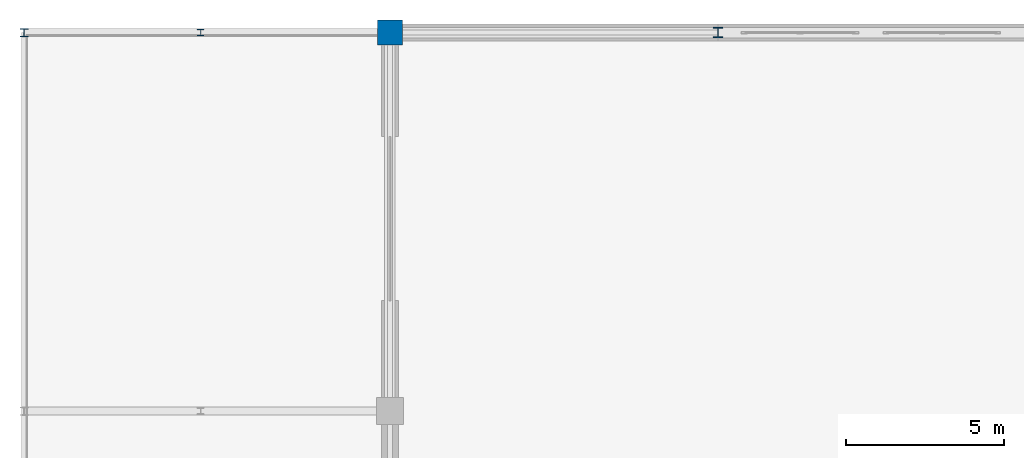
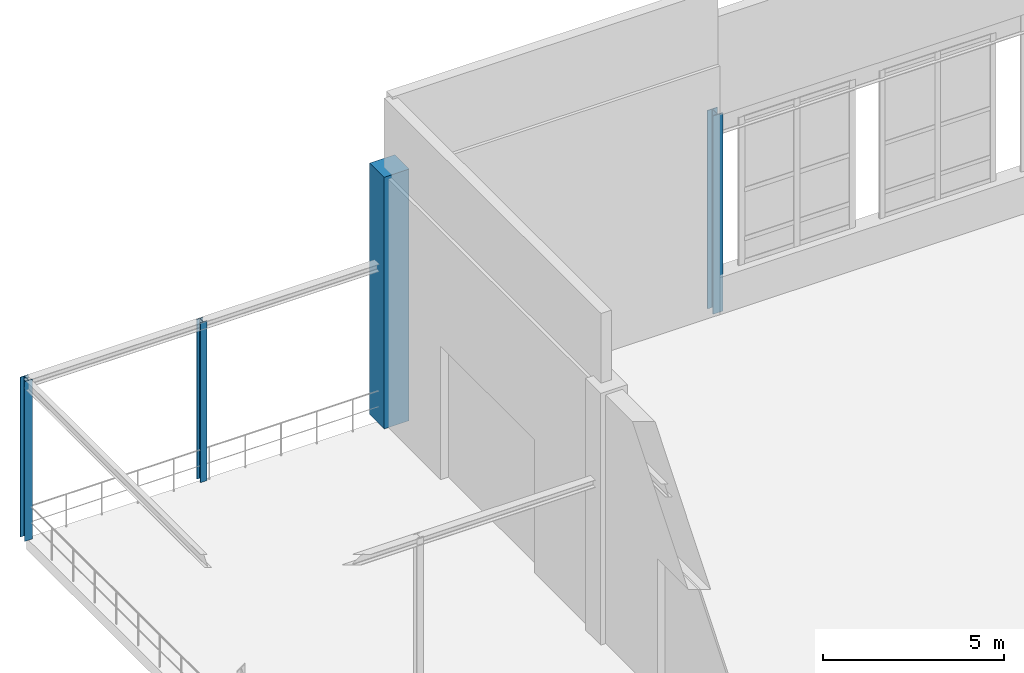
# One storey, part 13 of 97: 4 columns.
"""IFC4 building model written with IfcOpenShell, lengths in metres."""

from ifc_helpers import new_model, si_unit, derived_unit, direction, frame, origin, origin_2d, place, context, subcontext, project, spatial, rectangle, i_section, extrude, material, material_profile, profile_set, type_object, element, save


model = new_model("IFC4")

# Units and contexts
model_context = context("Model", 3, precision=1e-05, world=origin(), true_north=direction((0.0, 1.0)))
body_context = subcontext(model_context, "Body", "Model", "MODEL_VIEW")
ifc_project = project(units=[si_unit("LENGTHUNIT", "METRE"), si_unit("AREAUNIT", "SQUARE_METRE"), si_unit("VOLUMEUNIT", "CUBIC_METRE"), si_unit("PLANEANGLEUNIT", "RADIAN"), si_unit("MASSUNIT", "GRAM", prefix="KILO"), derived_unit("THERMALTRANSMITTANCEUNIT", [(si_unit("POWERUNIT", "WATT"), 1), (si_unit("LENGTHUNIT", "METRE"), -2), (si_unit("THERMODYNAMICTEMPERATUREUNIT", "KELVIN"), -1)])], contexts=[model_context])

# Site, building, storey
site_placement = place(None, origin())
site = spatial("IfcSite", under=ifc_project, at=site_placement, CompositionType="ELEMENT")
building_placement = place(site_placement, origin())
building = spatial("IfcBuilding", under=site, at=building_placement, Name="Almenara Railside Exhibition Hall", CompositionType="ELEMENT")
storey_placement = place(building_placement, frame((0.0, 0.0, 10.800048828125)))
storey = spatial("IfcBuildingStorey", under=building, at=storey_placement, Name="L02", CompositionType="ELEMENT", Elevation=10.800048828125)

# Columns
ifc_material_1 = material(Name="Concrete C40/50", Category="concrete")
ifc_material_profile_1 = material_profile(ifc_material_1, rectangle(XDim=0.800048828125, YDim=0.800048828125, at=origin_2d()), Name="RC 800x800")
ifc_profile_set_1 = profile_set([ifc_material_profile_1], Name="Concrete C40/50")
column_type_1 = type_object("IfcColumnType", Name="RC Column 800x800 C40/50", PredefinedType="COLUMN", material=ifc_profile_set_1)
column_1_placement = place(storey_placement, frame((12.0, 132.0, 0.0), z_axis=(0.0, 0.0, 1.0), x_axis=(1.0, 0.0, 0.0)))
element("IfcColumn", 1, at=column_1_placement, inside=storey, type_object=column_type_1, Name="Column 0075", PredefinedType="COLUMN", context=body_context, shape_type="SweptSolid", body=[
    extrude(rectangle(XDim=0.800048828125, YDim=0.800048828125, at=origin_2d()), origin(), (0.0, 0.0, 1.0), 8.5),
])
ifc_material_2 = material(Name="Structural steel S355JR", Category="steel")
ifc_material_profile_2 = material_profile(ifc_material_2, i_section(OverallWidth=0.205810546875, OverallDepth=0.209716796875, WebThickness=0.009521484375, FlangeThickness=0.01416015625, FilletRadius=0.01025390625, at=origin_2d()), Name="UC 203x203x60")
ifc_profile_set_2 = profile_set([ifc_material_profile_2], Name="Structural steel S355JR")
column_type_2 = type_object("IfcColumnType", Name="Steel Column UC 203x203x60 S355JR", PredefinedType="COLUMN", material=ifc_profile_set_2)
column_2_placement = place(storey_placement, frame((6.0, 132.0, 0.0), z_axis=(0.0, 0.0, 1.0), x_axis=(1.0, 0.0, 0.0)))
element("IfcColumn", 2, at=column_2_placement, inside=storey, type_object=column_type_2, Name="Column 0284", PredefinedType="COLUMN", context=body_context, shape_type="SweptSolid", body=[
    extrude(i_section(OverallWidth=0.205810546875, OverallDepth=0.209716796875, WebThickness=0.009521484375, FlangeThickness=0.01416015625, FilletRadius=0.01025390625, at=origin_2d()), origin(), (0.0, 0.0, 1.0), 5.39990234375),
])
ifc_material_profile_3 = material_profile(ifc_material_2, i_section(OverallWidth=0.25634765625, OverallDepth=0.26025390625, WebThickness=0.01025390625, FlangeThickness=0.017333984375, FilletRadius=0.0126953125, at=origin_2d()), Name="UC 254x254x89")
ifc_profile_set_3 = profile_set([ifc_material_profile_3], Name="Structural steel S355JR")
column_type_3 = type_object("IfcColumnType", Name="Steel Column UC 254x254x89 S355JR", PredefinedType="COLUMN", material=ifc_profile_set_3)
column_3_placement = place(storey_placement, frame((0.39990234375, 132.0, 0.0), z_axis=(0.0, 0.0, 1.0), x_axis=(1.0, 0.0, 0.0)))
element("IfcColumn", 3, at=column_3_placement, inside=storey, type_object=column_type_3, Name="Column 0281", PredefinedType="COLUMN", context=body_context, shape_type="SweptSolid", body=[
    extrude(i_section(OverallWidth=0.25634765625, OverallDepth=0.26025390625, WebThickness=0.01025390625, FlangeThickness=0.017333984375, FilletRadius=0.0126953125, at=origin_2d()), origin(), (0.0, 0.0, 1.0), 5.39990234375),
])
ifc_material_profile_4 = material_profile(ifc_material_2, i_section(OverallWidth=0.311279296875, OverallDepth=0.3271484375, WebThickness=0.015869140625, FlangeThickness=0.02490234375, FilletRadius=0.01513671875, at=origin_2d()), Name="UC 305x305x158")
ifc_profile_set_4 = profile_set([ifc_material_profile_4], Name="Structural steel S355JR")
column_type_4 = type_object("IfcColumnType", Name="Steel Column UC 305x305x158 S355JR", PredefinedType="COLUMN", material=ifc_profile_set_4)
column_4_placement = place(storey_placement, frame((22.39990234375, 132.0, 0.0), z_axis=(0.0, 0.0, 1.0), x_axis=(1.0, 0.0, 0.0)))
element("IfcColumn", 4, at=column_4_placement, inside=storey, type_object=column_type_4, Name="Column 0081", PredefinedType="COLUMN", context=body_context, shape_type="SweptSolid", body=[
    extrude(i_section(OverallWidth=0.311279296875, OverallDepth=0.3271484375, WebThickness=0.015869140625, FlangeThickness=0.02490234375, FilletRadius=0.01513671875, at=origin_2d()), origin(), (0.0, 0.0, 1.0), 6.699951171875),
])

save(model, "model.ifc")
